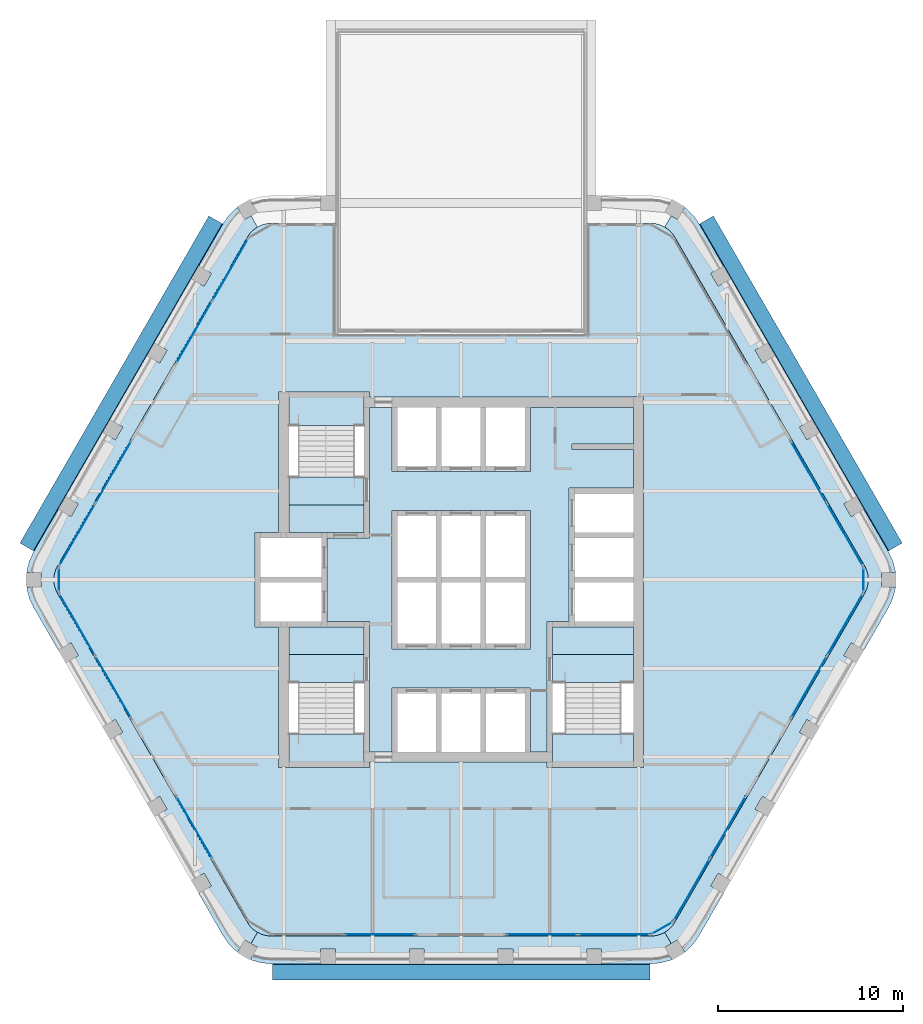
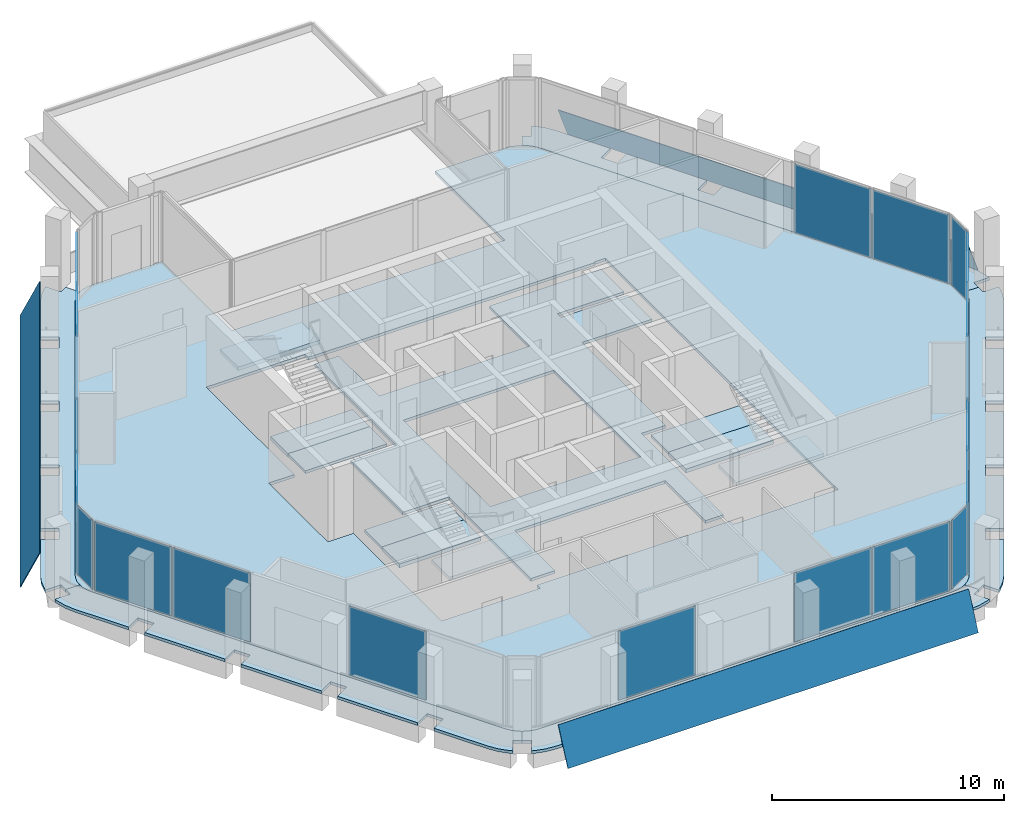
# One storey, part 7 of 16: 22 plates, 16 slabs, 15 elements without a shape of their own.
"""IFC4 building model written with IfcOpenShell, lengths in metres."""

import ifcopenshell
import ifcopenshell.guid

model = None  # the IFC model being written
_history = None  # IfcOwnerHistory: only IFC2X3 demands one
_inside = {}  # id of a spatial element -> (the spatial element, [elements in it])
_under = {}  # id of a project, library or spatial element -> (it, [spatial elements below it])
_declared = {}  # id of a project -> (the project, [libraries it declares])
_typed = {}  # id of a type object -> (the type object, [elements of that type])
_made_of = {}  # id of a material, layer set ... -> (it, [elements and type objects made of it])


def new_model(schema):
    """Start an empty IFC model of exactly this schema.

    Asked for "IFC4X3", IfcOpenShell would pick the latest addendum, in which some entities
    have other attributes; the version numbers below select the first issue.
    IFC2X3 requires an IfcOwnerHistory on every rooted entity: one is made here for all.
    """
    global model, _history
    if schema == "IFC4X3":
        model = ifcopenshell.file(schema_version=(4, 3, 0, 0))
    else:
        model = ifcopenshell.file(schema=schema)
    _inside.clear()
    _under.clear()
    _declared.clear()
    _typed.clear()
    _made_of.clear()
    _history = None
    if model.schema == "IFC2X3":
        org = make("IfcOrganization", Name="unknown")
        user = make(
            "IfcPersonAndOrganization",
            ThePerson=make("IfcPerson", FamilyName="unknown"),
            TheOrganization=org,
        )
        app = make(
            "IfcApplication",
            ApplicationDeveloper=org,
            Version="unknown",
            ApplicationFullName="unknown",
            ApplicationIdentifier="unknown",
        )
        _history = make(
            "IfcOwnerHistory",
            OwningUser=user,
            OwningApplication=app,
            ChangeAction="ADDED",
            CreationDate=0,
        )
    return model


def make(cls, **values):
    """One entity of the class cls with the attributes given. An attribute that is None is left unset."""
    return model.create_entity(
        cls, **{name: value for name, value in values.items() if value is not None}
    )


def rooted(cls, **values):
    """An entity with a GlobalId (a new one), such as an element, a storey or a relation."""
    return make(cls, GlobalId=ifcopenshell.guid.new(), OwnerHistory=_history, **values)


def si_unit(unit_type, name, prefix=None):
    """IfcSIUnit, for example si_unit("LENGTHUNIT", "METRE", prefix="MILLI")."""
    return make("IfcSIUnit", UnitType=unit_type, Prefix=prefix, Name=name)


def assignment(units):
    """IfcUnitAssignment: the units of a project."""
    return None if units is None else make("IfcUnitAssignment", Units=units)


def point(xyz):
    """IfcCartesianPoint."""
    return None if xyz is None else make("IfcCartesianPoint", Coordinates=xyz)


def direction(xyz):
    """IfcDirection."""
    return None if xyz is None else make("IfcDirection", DirectionRatios=xyz)


def frame(location, z_axis=None, x_axis=None):
    """IfcAxis2Placement3D, a coordinate frame: its origin and axes. An axis left out is left unset."""
    return make(
        "IfcAxis2Placement3D",
        Location=point(location),
        Axis=direction(z_axis),
        RefDirection=direction(x_axis),
    )


def frame_2d(location, x_axis=None):
    """IfcAxis2Placement2D, a coordinate frame in the plane: its origin and x axis."""
    return make(
        "IfcAxis2Placement2D", Location=point(location), RefDirection=direction(x_axis)
    )


def origin():
    """The frame at (0, 0, 0) with its axes left unset."""
    return frame((0.0, 0.0, 0.0))


def origin_2d():
    """The frame at (0, 0) in the plane with its x axis left unset."""
    return frame_2d((0.0, 0.0))


def place(relative_to, where):
    """IfcLocalPlacement: puts the frame where relative to a parent placement (None: the world)."""
    return make(
        "IfcLocalPlacement", PlacementRelTo=relative_to, RelativePlacement=where
    )


def context(
    kind, dimensions, precision=None, world=None, true_north=None, identifier=None
):
    """IfcGeometricRepresentationContext, for example the 3D "Model" context."""
    return make(
        "IfcGeometricRepresentationContext",
        ContextIdentifier=identifier,
        ContextType=kind,
        CoordinateSpaceDimension=dimensions,
        Precision=precision,
        WorldCoordinateSystem=world,
        TrueNorth=true_north,
    )


def subcontext(parent, identifier, kind, view, scale=None):
    """IfcGeometricRepresentationSubContext, for example "Body" below "Model"."""
    return make(
        "IfcGeometricRepresentationSubContext",
        ContextIdentifier=identifier,
        ContextType=kind,
        ParentContext=parent,
        TargetScale=scale,
        TargetView=view,
    )


def project(units=None, contexts=None):
    """IfcProject with its units and contexts."""
    return rooted(
        "IfcProject",
        Name="project",
        RepresentationContexts=contexts,
        UnitsInContext=assignment(units),
    )


def spatial(cls, under=None, at=None, **own):
    """A site, building, storey or space (cls), placed at a placement, below another one or the project."""
    s = rooted(cls, ObjectPlacement=at, **own)
    if under is not None:
        _under.setdefault(under.id(), (under, []))[1].append(s)
    return s


def polyline(points):
    """IfcPolyline through the points."""
    return make("IfcPolyline", Points=[point(p) for p in points])


def profile(cls, at=None, kind="AREA", **sizes):
    """A parametric profile (cls). Its sizes go by their IFC names, for example OverallWidth=200.0."""
    return make(cls, ProfileType=kind, Position=at, **sizes)


def rectangle(**sizes):
    """IfcRectangleProfileDef."""
    return profile("IfcRectangleProfileDef", **sizes)


def outline(outer, holes=None, kind="AREA"):
    """IfcArbitraryClosedProfileDef: a profile drawn as a closed curve; with holes, ...WithVoids."""
    if holes is None:
        return make("IfcArbitraryClosedProfileDef", ProfileType=kind, OuterCurve=outer)
    return make(
        "IfcArbitraryProfileDefWithVoids",
        ProfileType=kind,
        OuterCurve=outer,
        InnerCurves=holes,
    )


def extrude(swept, where, along, depth):
    """IfcExtrudedAreaSolid: the profile swept, set in the frame where, extruded along a direction by depth."""
    return make(
        "IfcExtrudedAreaSolid",
        SweptArea=swept,
        Position=where,
        ExtrudedDirection=direction(along),
        Depth=depth,
    )


def shape(context_of_items, identifier, shape_type, items):
    """IfcShapeRepresentation: the items that make up one representation, for example the "Body"."""
    return make(
        "IfcShapeRepresentation",
        ContextOfItems=context_of_items,
        RepresentationIdentifier=identifier,
        RepresentationType=shape_type,
        Items=items,
    )


def material(Name=None, Category=None):
    """IfcMaterial."""
    return make("IfcMaterial", Name=Name, Category=Category)


def layer(
    of_material, thickness, ventilated=None, Name=None, Category=None, Priority=None
):
    """IfcMaterialLayer: one layer of a wall or slab, of a material (None: an air gap)."""
    return make(
        "IfcMaterialLayer",
        Material=of_material,
        LayerThickness=thickness,
        IsVentilated=ventilated,
        Name=Name,
        Category=Category,
        Priority=Priority,
    )


def layer_set(layers, Name=None):
    """IfcMaterialLayerSet."""
    return make("IfcMaterialLayerSet", MaterialLayers=layers, LayerSetName=Name)


def made_of(thing, what):
    """Note that an element or type object is made of a material, layer set ...; save() writes the relation."""
    if what is not None:
        _made_of.setdefault(what.id(), (what, []))[1].append(thing)
    return thing


def type_object(cls, material=None, **own):
    """A type object (cls), such as IfcWallType, which elements share."""
    return made_of(rooted(cls, **own), material)


def element(
    cls,
    number,
    at=None,
    inside=None,
    cuts=None,
    type_object=None,
    material=None,
    context=None,
    identifier="Body",
    shape_type=None,
    held_by="IfcProductDefinitionShape",
    body=None,
    shapes=None,
    **own,
):
    """One element of the class cls, such as IfcWall. Its Tag is "e" and its number.

    at: its placement. inside: the storey or other place that contains it. cuts: it is an
    opening in that element (IfcRelVoidsElement). A single representation is given by context,
    identifier, shape_type and body (its items); several are given by shapes. held_by: the class
    of the entity that holds the representations. save() writes the other relations.
    """
    e = rooted(cls, Tag="e%d" % number, ObjectPlacement=at, **own)
    if body is not None:
        shapes = [shape(context, identifier, shape_type, body)]
    if shapes is not None:
        e.Representation = make(held_by, Representations=shapes)
    if inside is not None:
        _inside.setdefault(inside.id(), (inside, []))[1].append(e)
    if cuts is not None:
        rooted(
            "IfcRelVoidsElement", RelatingBuildingElement=cuts, RelatedOpeningElement=e
        )
    if type_object is not None:
        _typed.setdefault(type_object.id(), (type_object, []))[1].append(e)
    return made_of(e, material)


def aggregate(whole, parts):
    """IfcRelAggregates: a whole, such as a stair, and the parts it consists of."""
    return rooted("IfcRelAggregates", RelatingObject=whole, RelatedObjects=parts)


def save(model, path):
    """Write the relations noted so far, then the file.

    IfcRelAggregates (storeys below a building ...), IfcRelContainedInSpatialStructure (elements
    in a storey), IfcRelDefinesByType, IfcRelAssociatesMaterial and IfcRelDeclares: one each for
    every whole, place, type object, material and project.
    """
    for whole, parts in _under.values():
        aggregate(whole, parts)
    for where, things in _inside.values():
        rooted(
            "IfcRelContainedInSpatialStructure",
            RelatedElements=things,
            RelatingStructure=where,
        )
    for kind, things in _typed.values():
        rooted("IfcRelDefinesByType", RelatedObjects=things, RelatingType=kind)
    for what, things in _made_of.values():
        rooted("IfcRelAssociatesMaterial", RelatedObjects=things, RelatingMaterial=what)
    for by, libraries in _declared.values():
        rooted("IfcRelDeclares", RelatingContext=by, RelatedDefinitions=libraries)
    model.write(path)


model = new_model("IFC4")

# Units and contexts
model_context = context("Model", 3, precision=1e-05, world=origin(), true_north=direction((0.0, 1.0)))
body_context = subcontext(model_context, "Body", "Model", "MODEL_VIEW")
ifc_project = project(units=[si_unit("LENGTHUNIT", "METRE"), si_unit("AREAUNIT", "SQUARE_METRE"), si_unit("VOLUMEUNIT", "CUBIC_METRE"), si_unit("PLANEANGLEUNIT", "RADIAN"), si_unit("MASSUNIT", "GRAM", prefix="KILO")], contexts=[model_context])

# Site, building, storey
site_placement = place(None, origin())
site = spatial("IfcSite", under=ifc_project, at=site_placement, CompositionType="ELEMENT")
building_placement = place(site_placement, origin())
building = spatial("IfcBuilding", under=site, at=building_placement, Name="Kolab Exchange Tower", CompositionType="ELEMENT")
storey_placement = place(building_placement, frame((0.0, 0.0, 269.60009765625)))
storey = spatial("IfcBuildingStorey", under=building, at=storey_placement, Name="L60", CompositionType="ELEMENT", Elevation=269.60009765625)

# Slabs
ifc_material_1 = material(Name="Concrete C35/45", Category="concrete")
ifc_layer_1 = layer(ifc_material_1, 0.14990234375)
ifc_layer_set_1 = layer_set([ifc_layer_1], Name="Concrete C35/45")
slab_type_1 = type_object("IfcSlabType", Name="FLOOR SLAB 150", PredefinedType="FLOOR", material=ifc_layer_set_1)
slab_1_placement = place(storey_placement, frame((0.0, 0.0, -0.150146484375)))
element("IfcSlab", 1, at=slab_1_placement, inside=storey, type_object=slab_type_1, Name="slab/L60/floor/0", PredefinedType="FLOOR", context=body_context, shape_type="SweptSolid", body=[
    extrude(outline(polyline([(10.26806640625, 19.28466796875), (6.800048828125, 19.28466796875), (6.800048828125, 13.28466796875), (-6.800048828125, 13.28466796875), (-6.800048828125, 19.28466796875), (-10.26806640625, 19.28466796875), (-10.5283203125, 19.26171875), (-10.781005859375, 19.194091796875), (-11.01806640625, 19.083740234375), (-11.232177734375, 18.93359375), (-11.4169921875, 18.748779296875), (-11.56689453125, 18.53466796875), (-21.8349609375, 0.75), (-21.945556640625, 0.512939453125), (-22.01318359375, 0.260498046875), (-22.035888671875, 0.0), (-22.01318359375, -0.260498046875), (-21.945556640625, -0.512939453125), (-21.8349609375, -0.75), (-11.56689453125, -18.53466796875), (-11.4169921875, -18.748779296875), (-11.232177734375, -18.93359375), (-11.01806640625, -19.083740234375), (-10.781005859375, -19.194091796875), (-10.5283203125, -19.26171875), (-10.26806640625, -19.28466796875), (10.26806640625, -19.28466796875), (10.5283203125, -19.26171875), (10.781005859375, -19.194091796875), (11.01806640625, -19.083740234375), (11.232177734375, -18.93359375), (11.4169921875, -18.748779296875), (11.56689453125, -18.53466796875), (21.8349609375, -0.75), (21.945556640625, -0.512939453125), (22.01318359375, -0.260498046875), (22.035888671875, 0.0), (22.01318359375, 0.260498046875), (21.945556640625, 0.512939453125), (21.8349609375, 0.75), (11.56689453125, 18.53466796875), (11.4169921875, 18.748779296875), (11.232177734375, 18.93359375), (11.01806640625, 19.083740234375), (10.781005859375, 19.194091796875), (10.5283203125, 19.26171875), (10.26806640625, 19.28466796875)]), holes=[polyline([(-9.324951171875, -10.14990234375), (-9.875, -10.14990234375), (-9.875, -2.550048828125), (-10.85009765625, -2.550048828125), (-11.14990234375, -2.550048828125), (-11.14990234375, 2.550048828125), (-10.85009765625, 2.550048828125), (-9.875, 2.550048828125), (-9.875, 10.14990234375), (-9.324951171875, 10.14990234375), (-5.25, 10.14990234375), (-4.949951171875, 10.14990234375), (-4.949951171875, 9.875), (9.324951171875, 9.875), (9.324951171875, 9.925048828125), (9.875, 9.925048828125), (9.875, -10.14990234375), (9.324951171875, -10.14990234375), (4.949951171875, -10.14990234375), (4.64990234375, -10.14990234375), (4.64990234375, -9.875), (-4.949951171875, -9.875), (-4.949951171875, -10.14990234375), (-5.25, -10.14990234375), (-9.324951171875, -10.14990234375)])]), origin(), (0.0, 0.0, 1.0), 0.150146484375),
])
slab_2_placement = place(storey_placement, frame((0.0, 0.0, -0.150146484375)))
element("IfcSlab", 2, at=slab_2_placement, inside=storey, type_object=slab_type_1, Name="slab/L60/floor/1", PredefinedType="FLOOR", context=body_context, shape_type="SweptSolid", body=[
    extrude(outline(polyline([(-4.949951171875, 9.324951171875), (-4.949951171875, 2.25), (-5.25, 2.25), (-7.25, 2.25), (-7.25, -2.25), (-5.25, -2.25), (-4.949951171875, -2.25), (-4.949951171875, -9.324951171875), (-3.75, -9.324951171875), (-3.75, -5.85009765625), (-3.449951171875, -5.85009765625), (-1.35009765625, -5.85009765625), (-1.050048828125, -5.85009765625), (1.050048828125, -5.85009765625), (1.35009765625, -5.85009765625), (3.449951171875, -5.85009765625), (3.75, -5.85009765625), (3.75, -9.324951171875), (4.64990234375, -9.324951171875), (4.64990234375, -2.25), (4.949951171875, -2.25), (5.85009765625, -2.25), (5.85009765625, 4.949951171875), (6.14990234375, 4.949951171875), (9.324951171875, 4.949951171875), (9.324951171875, 7.050048828125), (6.0, 7.050048828125), (6.0, 7.35009765625), (9.324951171875, 7.35009765625), (9.324951171875, 9.324951171875), (3.75, 9.324951171875), (3.75, 5.85009765625), (3.449951171875, 5.85009765625), (1.35009765625, 5.85009765625), (1.050048828125, 5.85009765625), (-1.050048828125, 5.85009765625), (-1.35009765625, 5.85009765625), (-3.449951171875, 5.85009765625), (-3.75, 5.85009765625), (-3.75, 9.324951171875), (-4.949951171875, 9.324951171875)]), holes=[polyline([(-1.050048828125, -3.75), (-1.35009765625, -3.75), (-3.449951171875, -3.75), (-3.75, -3.75), (-3.75, 3.75), (-3.449951171875, 3.75), (-1.35009765625, 3.75), (-1.050048828125, 3.75), (1.050048828125, 3.75), (1.35009765625, 3.75), (3.449951171875, 3.75), (3.75, 3.75), (3.75, -3.75), (3.449951171875, -3.75), (1.35009765625, -3.75), (1.050048828125, -3.75), (-1.050048828125, -3.75)])]), origin(), (0.0, 0.0, 1.0), 0.150146484375),
])
slab_3_placement = place(storey_placement, frame((0.0, 0.0, -0.150146484375)))
element("IfcSlab", 3, at=slab_3_placement, inside=storey, type_object=slab_type_1, Name="slab/L60/floor/2", PredefinedType="FLOOR", context=body_context, shape_type="SweptSolid", body=[
    extrude(outline(polyline([(4.949951171875, -4.050048828125), (9.324951171875, -4.050048828125), (9.324951171875, -2.550048828125), (6.14990234375, -2.550048828125), (5.85009765625, -2.550048828125), (4.949951171875, -2.550048828125), (4.949951171875, -4.050048828125)])), origin(), (0.0, 0.0, 1.0), 0.150146484375),
])
slab_4_placement = place(storey_placement, frame((0.0, 0.0, -0.150146484375)))
element("IfcSlab", 4, at=slab_4_placement, inside=storey, type_object=slab_type_1, Name="slab/L60/floor/3", PredefinedType="FLOOR", context=body_context, shape_type="SweptSolid", body=[
    extrude(outline(polyline([(-7.550048828125, -2.550048828125), (-9.324951171875, -2.550048828125), (-9.324951171875, -4.050048828125), (-5.25, -4.050048828125), (-5.25, -2.550048828125), (-7.25, -2.550048828125), (-7.550048828125, -2.550048828125)])), origin(), (0.0, 0.0, 1.0), 0.150146484375),
])
slab_5_placement = place(storey_placement, frame((0.0, 0.0, -0.150146484375)))
element("IfcSlab", 5, at=slab_5_placement, inside=storey, type_object=slab_type_1, Name="slab/L60/floor/4", PredefinedType="FLOOR", context=body_context, shape_type="SweptSolid", body=[
    extrude(outline(polyline([(-9.324951171875, 2.550048828125), (-7.550048828125, 2.550048828125), (-7.25, 2.550048828125), (-5.25, 2.550048828125), (-5.25, 4.050048828125), (-9.324951171875, 4.050048828125), (-9.324951171875, 2.550048828125)])), origin(), (0.0, 0.0, 1.0), 0.150146484375),
])
ifc_layer_2 = layer(ifc_material_1, 0.14990234375)
ifc_layer_set_2 = layer_set([ifc_layer_2], Name="Concrete C35/45")
slab_type_2 = type_object("IfcSlabType", Name="LOGGIA SLAB 150", PredefinedType="FLOOR", material=ifc_layer_set_2)
slab_6_placement = place(storey_placement, frame((0.0, 0.0, -0.150146484375)))
element("IfcSlab", 6, at=slab_6_placement, inside=storey, type_object=slab_type_2, Name="slab/L60/loggia/1-0", PredefinedType="FLOOR", context=body_context, shape_type="SweptSolid", body=[
    extrude(outline(polyline([(22.035888671875, 0.0), (22.73583984375, 0.0), (22.73583984375, 0.39990234375), (23.5009765625, 0.39990234375), (23.490234375, 0.52099609375), (23.35498046875, 1.026123046875), (23.134033203125, 1.5), (21.800048828125, 3.810546875), (21.107177734375, 3.410400390625), (20.707275390625, 4.103271484375), (21.39990234375, 4.50341796875), (19.39990234375, 7.967529296875), (18.707275390625, 7.5673828125), (18.30712890625, 8.26025390625), (19.0, 8.66015625), (17.0, 12.124267578125), (16.30712890625, 11.724365234375), (15.9072265625, 12.417236328125), (16.60009765625, 12.817138671875), (14.60009765625, 16.28125), (13.9072265625, 15.88134765625), (13.507080078125, 16.57421875), (14.199951171875, 16.97412109375), (12.865966796875, 19.28466796875), (12.566162109375, 19.712890625), (12.1962890625, 20.082763671875), (12.096923828125, 20.15234375), (11.71435546875, 19.48974609375), (11.367919921875, 19.68994140625), (11.01806640625, 19.083740234375), (11.232177734375, 18.93359375), (11.4169921875, 18.748779296875), (11.56689453125, 18.53466796875), (21.8349609375, 0.75), (21.945556640625, 0.512939453125), (22.01318359375, 0.260498046875), (22.035888671875, 0.0)])), origin(), (0.0, 0.0, 1.0), 0.150146484375),
])
slab_7_placement = place(storey_placement, frame((0.0, 0.0, -0.150146484375)))
element("IfcSlab", 7, at=slab_7_placement, inside=storey, type_object=slab_type_2, Name="slab/L60/loggia/2-0", PredefinedType="FLOOR", context=body_context, shape_type="SweptSolid", body=[
    extrude(outline(polyline([(12.865966796875, -19.28466796875), (14.199951171875, -16.97412109375), (13.507080078125, -16.57421875), (13.9072265625, -15.88134765625), (14.60009765625, -16.28125), (16.60009765625, -12.817138671875), (15.9072265625, -12.417236328125), (16.30712890625, -11.724365234375), (17.0, -12.124267578125), (19.0, -8.66015625), (18.30712890625, -8.26025390625), (18.707275390625, -7.5673828125), (19.39990234375, -7.967529296875), (21.39990234375, -4.50341796875), (20.707275390625, -4.103271484375), (21.107177734375, -3.410400390625), (21.800048828125, -3.810546875), (23.134033203125, -1.5), (23.35498046875, -1.026123046875), (23.490234375, -0.52099609375), (23.5009765625, -0.39990234375), (22.73583984375, -0.39990234375), (22.73583984375, 0.0), (22.035888671875, 0.0), (22.01318359375, -0.260498046875), (21.945556640625, -0.512939453125), (21.8349609375, -0.75), (11.56689453125, -18.53466796875), (11.4169921875, -18.748779296875), (11.232177734375, -18.93359375), (11.01806640625, -19.083740234375), (11.367919921875, -19.68994140625), (11.71435546875, -19.48974609375), (12.096923828125, -20.15234375), (12.1962890625, -20.082763671875), (12.566162109375, -19.712890625), (12.865966796875, -19.28466796875)])), origin(), (0.0, 0.0, 1.0), 0.150146484375),
])
slab_8_placement = place(storey_placement, frame((0.0, 0.0, -0.150146484375)))
element("IfcSlab", 8, at=slab_8_placement, inside=storey, type_object=slab_type_2, Name="slab/L60/loggia/3-0", PredefinedType="FLOOR", context=body_context, shape_type="SweptSolid", body=[
    extrude(outline(polyline([(-11.01806640625, -19.083740234375), (-11.367919921875, -19.68994140625), (-11.021484375, -19.889892578125), (-11.404052734375, -20.552490234375), (-11.2939453125, -20.603759765625), (-10.788818359375, -20.739013671875), (-10.26806640625, -20.78466796875), (-7.60009765625, -20.78466796875), (-7.60009765625, -19.984619140625), (-6.800048828125, -19.984619140625), (-6.800048828125, -20.78466796875), (-2.800048828125, -20.78466796875), (-2.800048828125, -19.984619140625), (-2.0, -19.984619140625), (-2.0, -20.78466796875), (2.0, -20.78466796875), (2.0, -19.984619140625), (2.800048828125, -19.984619140625), (2.800048828125, -20.78466796875), (6.800048828125, -20.78466796875), (6.800048828125, -19.984619140625), (7.60009765625, -19.984619140625), (7.60009765625, -20.78466796875), (10.26806640625, -20.78466796875), (10.788818359375, -20.739013671875), (11.2939453125, -20.603759765625), (11.404052734375, -20.552490234375), (11.021484375, -19.889892578125), (11.367919921875, -19.68994140625), (11.01806640625, -19.083740234375), (10.781005859375, -19.194091796875), (10.5283203125, -19.26171875), (10.26806640625, -19.28466796875), (-10.26806640625, -19.28466796875), (-10.5283203125, -19.26171875), (-10.781005859375, -19.194091796875), (-11.01806640625, -19.083740234375)])), origin(), (0.0, 0.0, 1.0), 0.150146484375),
])
slab_9_placement = place(storey_placement, frame((0.0, 0.0, -0.150146484375)))
element("IfcSlab", 9, at=slab_9_placement, inside=storey, type_object=slab_type_2, Name="slab/L60/loggia/4-0", PredefinedType="FLOOR", context=body_context, shape_type="SweptSolid", body=[
    extrude(outline(polyline([(-22.035888671875, 0.0), (-22.73583984375, 0.0), (-22.73583984375, -0.39990234375), (-23.5009765625, -0.39990234375), (-23.490234375, -0.52099609375), (-23.35498046875, -1.026123046875), (-23.134033203125, -1.5), (-21.800048828125, -3.810546875), (-21.107177734375, -3.410400390625), (-20.707275390625, -4.103271484375), (-21.39990234375, -4.50341796875), (-19.39990234375, -7.967529296875), (-18.707275390625, -7.5673828125), (-18.30712890625, -8.26025390625), (-19.0, -8.66015625), (-17.0, -12.124267578125), (-16.30712890625, -11.724365234375), (-15.9072265625, -12.417236328125), (-16.60009765625, -12.817138671875), (-14.60009765625, -16.28125), (-13.9072265625, -15.88134765625), (-13.507080078125, -16.57421875), (-14.199951171875, -16.97412109375), (-12.865966796875, -19.28466796875), (-12.566162109375, -19.712890625), (-12.1962890625, -20.082763671875), (-12.096923828125, -20.15234375), (-11.71435546875, -19.48974609375), (-11.367919921875, -19.68994140625), (-11.01806640625, -19.083740234375), (-11.232177734375, -18.93359375), (-11.4169921875, -18.748779296875), (-11.56689453125, -18.53466796875), (-21.8349609375, -0.75), (-21.945556640625, -0.512939453125), (-22.01318359375, -0.260498046875), (-22.035888671875, 0.0)])), origin(), (0.0, 0.0, 1.0), 0.150146484375),
])
slab_10_placement = place(storey_placement, frame((0.0, 0.0, -0.150146484375)))
element("IfcSlab", 10, at=slab_10_placement, inside=storey, type_object=slab_type_2, Name="slab/L60/loggia/5-0", PredefinedType="FLOOR", context=body_context, shape_type="SweptSolid", body=[
    extrude(outline(polyline([(-11.01806640625, 19.083740234375), (-11.367919921875, 19.68994140625), (-11.71435546875, 19.48974609375), (-12.096923828125, 20.15234375), (-12.1962890625, 20.082763671875), (-12.566162109375, 19.712890625), (-12.865966796875, 19.28466796875), (-14.199951171875, 16.97412109375), (-13.507080078125, 16.57421875), (-13.9072265625, 15.88134765625), (-14.60009765625, 16.28125), (-16.60009765625, 12.817138671875), (-15.9072265625, 12.417236328125), (-16.30712890625, 11.724365234375), (-17.0, 12.124267578125), (-19.0, 8.66015625), (-18.30712890625, 8.26025390625), (-18.707275390625, 7.5673828125), (-19.39990234375, 7.967529296875), (-21.39990234375, 4.50341796875), (-20.707275390625, 4.103271484375), (-21.107177734375, 3.410400390625), (-21.800048828125, 3.810546875), (-23.134033203125, 1.5), (-23.35498046875, 1.026123046875), (-23.490234375, 0.52099609375), (-23.5009765625, 0.39990234375), (-22.73583984375, 0.39990234375), (-22.73583984375, 0.0), (-22.035888671875, 0.0), (-22.01318359375, 0.260498046875), (-21.945556640625, 0.512939453125), (-21.8349609375, 0.75), (-11.56689453125, 18.53466796875), (-11.4169921875, 18.748779296875), (-11.232177734375, 18.93359375), (-11.01806640625, 19.083740234375)])), origin(), (0.0, 0.0, 1.0), 0.150146484375),
])

# Plates
ifc_material_2 = material(Name="Laminated glass, clear", Category="glass")
ifc_layer_3 = layer(ifc_material_2, 0.0400390625)
ifc_layer_set_3 = layer_set([ifc_layer_3], Name="Laminated glass, clear")
plate_type_1 = type_object("IfcPlateType", Name="OUTER SKIN LAMINATED GLASS SHEET 40", PredefinedType="SHEET", material=ifc_layer_set_3)
plate_1_placement = place(storey_placement, frame((13.6494140625, 19.67919921875, -0.68310546875), z_axis=(0.784867306279, 0.453141202853, 0.42266578027), x_axis=(0.499997422316, -0.866026892004, 1.98158e-06)))
element("IfcPlate", 11, at=plate_1_placement, inside=storey, type_object=plate_type_1, Name="Outer skin", PredefinedType="SHEET", context=body_context, shape_type="SweptSolid", body=[
    extrude(outline(polyline([(0.0, 0.0), (20.435802623779974, 0.0), (20.435856947346743, -1.9858686247089181), (-6.774611641384307e-05, -1.9859579901459246), (0.0, 0.0)])), origin(), (0.0, 0.0, -1.0), 0.0400390625),
])
plate_2_placement = place(storey_placement, frame((10.218017578125, -21.66015625, -0.68310546875), z_axis=(0.0, -0.906289895601, 0.422656627927), x_axis=(-1.0, 0.0, 0.0)))
element("IfcPlate", 12, at=plate_2_placement, inside=storey, type_object=plate_type_1, Name="Outer skin", PredefinedType="SHEET", context=body_context, shape_type="SweptSolid", body=[
    extrude(outline(polyline([(0.0, 0.0), (20.43603515625, 0.0), (20.43603515625, -1.9859039543914263), (0.0, -1.9859039543914263), (0.0, 0.0)])), origin(), (0.0, 0.0, -1.0), 0.0400390625),
])
plate_3_placement = place(storey_placement, frame((-23.8671875, 1.981201171875, -0.68310546875), z_axis=(-0.784867306279, 0.453141202853, 0.42266578027), x_axis=(0.499997422316, 0.866026892004, -1.98158e-06)))
element("IfcPlate", 13, at=plate_3_placement, inside=storey, type_object=plate_type_1, Name="Outer skin", PredefinedType="SHEET", context=body_context, shape_type="SweptSolid", body=[
    extrude(outline(polyline([(0.0, 0.0), (20.435802623779974, 0.0), (20.43587036989639, -1.9859579901459246), (-5.432356676878094e-05, -1.985868624708918), (0.0, 0.0)])), origin(), (0.0, 0.0, -1.0), 0.0400390625),
])

# Stair, slabs
ifc_material_3 = material(Name="Concrete C50/60", Category="concrete")
stair_type_1 = type_object("IfcStairType", Name="STAIR ST1 RISER 177.3", PredefinedType="HALF_TURN_STAIR", material=ifc_material_3)
stair_1_placement = place(storey_placement, origin())
stair_1 = element("IfcStair", 14, at=stair_1_placement, inside=storey, type_object=stair_type_1, Name="Stair 1", PredefinedType="HALF_TURN_STAIR")
ifc_layer_4 = layer(ifc_material_3, 0.199951171875)
ifc_layer_set_4 = layer_set([ifc_layer_4], Name="Concrete C50/60")
slab_type_3 = type_object("IfcSlabType", Name="STAIR LANDING 200", PredefinedType="LANDING", material=ifc_layer_set_4)
slab_11_placement = place(storey_placement, frame((0.0, 0.0, -0.2001953125)))
slab_11 = element("IfcSlab", 15, at=slab_11_placement, type_object=slab_type_3, Name="ST1 landing 1", PredefinedType="LANDING", context=body_context, shape_type="SweptSolid", body=[
    extrude(outline(polyline([(-9.324951171875, 4.050048828125), (-5.25, 4.050048828125), (-5.25, 5.550048828125), (-9.324951171875, 5.550048828125), (-9.324951171875, 4.050048828125)])), origin(), (0.0, 0.0, 1.0), 0.2001953125),
])
slab_12_placement = place(storey_placement, frame((0.0, 0.0, 1.75)))
slab_12 = element("IfcSlab", 16, at=slab_12_placement, type_object=slab_type_3, Name="ST1 landing 2", PredefinedType="LANDING", context=body_context, shape_type="SweptSolid", body=[
    extrude(outline(polyline([(-9.324951171875, 8.35009765625), (-5.25, 8.35009765625), (-5.25, 9.909912109375), (-9.324951171875, 9.909912109375), (-9.324951171875, 8.35009765625)])), origin(), (0.0, 0.0, 1.0), 0.199951171875),
])
aggregate(stair_1, [slab_11, slab_12])

stair_type_2 = type_object("IfcStairType", Name="STAIR ST3 RISER 177.3", PredefinedType="HALF_TURN_STAIR", material=ifc_material_3)
stair_2_placement = place(storey_placement, origin())
stair_2 = element("IfcStair", 17, at=stair_2_placement, inside=storey, type_object=stair_type_2, Name="Stair 3", PredefinedType="HALF_TURN_STAIR")
slab_13_placement = place(storey_placement, frame((0.0, 0.0, -0.2001953125)))
slab_13 = element("IfcSlab", 18, at=slab_13_placement, type_object=slab_type_3, Name="ST3 landing 1", PredefinedType="LANDING", context=body_context, shape_type="SweptSolid", body=[
    extrude(outline(polyline([(-9.324951171875, -5.550048828125), (-5.25, -5.550048828125), (-5.25, -4.050048828125), (-9.324951171875, -4.050048828125), (-9.324951171875, -5.550048828125)])), origin(), (0.0, 0.0, 1.0), 0.2001953125),
])
slab_14_placement = place(storey_placement, frame((0.0, 0.0, 1.75)))
slab_14 = element("IfcSlab", 19, at=slab_14_placement, type_object=slab_type_3, Name="ST3 landing 2", PredefinedType="LANDING", context=body_context, shape_type="SweptSolid", body=[
    extrude(outline(polyline([(-9.324951171875, -9.909912109375), (-5.25, -9.909912109375), (-5.25, -8.35009765625), (-9.324951171875, -8.35009765625), (-9.324951171875, -9.909912109375)])), origin(), (0.0, 0.0, 1.0), 0.199951171875),
])
aggregate(stair_2, [slab_13, slab_14])

stair_type_3 = type_object("IfcStairType", Name="STAIR ST2 RISER 177.3", PredefinedType="HALF_TURN_STAIR", material=ifc_material_3)
stair_3_placement = place(storey_placement, origin())
stair_3 = element("IfcStair", 20, at=stair_3_placement, inside=storey, type_object=stair_type_3, Name="Stair 2", PredefinedType="HALF_TURN_STAIR")
slab_15_placement = place(storey_placement, frame((0.0, 0.0, -0.2001953125)))
slab_15 = element("IfcSlab", 21, at=slab_15_placement, type_object=slab_type_3, Name="ST2 landing 1", PredefinedType="LANDING", context=body_context, shape_type="SweptSolid", body=[
    extrude(outline(polyline([(4.949951171875, -5.550048828125), (9.324951171875, -5.550048828125), (9.324951171875, -4.050048828125), (4.949951171875, -4.050048828125), (4.949951171875, -5.550048828125)])), origin(), (0.0, 0.0, 1.0), 0.2001953125),
])
slab_16_placement = place(storey_placement, frame((0.0, 0.0, 1.75)))
slab_16 = element("IfcSlab", 22, at=slab_16_placement, type_object=slab_type_3, Name="ST2 landing 2", PredefinedType="LANDING", context=body_context, shape_type="SweptSolid", body=[
    extrude(outline(polyline([(4.949951171875, -9.909912109375), (9.324951171875, -9.909912109375), (9.324951171875, -8.35009765625), (4.949951171875, -8.35009765625), (4.949951171875, -9.909912109375)])), origin(), (0.0, 0.0, 1.0), 0.199951171875),
])
aggregate(stair_3, [slab_15, slab_16])

# Curtain wall, plates
ifc_material_4 = material(Name="Aluminium EN AW-6063 T6", Category="aluminium")
curtain_wall_type = type_object("IfcCurtainWallType", Name="UNITISED HIGH ZONE CURTAIN WALL", PredefinedType="NOTDEFINED", material=ifc_material_4)
curtain_wall_1_placement = place(storey_placement, origin())
curtain_wall_1 = element("IfcCurtainWall", 23, at=curtain_wall_1_placement, inside=storey, type_object=curtain_wall_type, Name="cw/L60/F2-2", PredefinedType="NOTDEFINED")
ifc_material_5 = material(Name="Clear insulated glazing unit", Category="glass")
ifc_layer_5 = layer(ifc_material_5, 0.030029296875)
ifc_layer_set_5 = layer_set([ifc_layer_5], Name="Clear insulated glazing unit")
plate_type_2 = type_object("IfcPlateType", Name="UNITISED HIGH ZONE GLASS PANEL 30", PredefinedType="CURTAIN_PANEL", material=ifc_layer_set_5)
plate_4_placement = place(storey_placement, frame((18.82275390625, 5.807373046875, 0.06005859375), z_axis=(0.0, 0.0, 1.0), x_axis=(0.499999936366, -0.866025440524, 0.0)))
plate_4 = element("IfcPlate", 24, at=plate_4_placement, type_object=plate_type_2, Name="CW4 panel 1.1", PredefinedType="CURTAIN_PANEL", context=body_context, shape_type="SweptSolid", body=[
    extrude(rectangle(XDim=3.843994140625, YDim=0.030029296875, at=origin_2d()), origin(), (0.0, 0.0, 1.0), 3.6298828125),
])
plate_5_placement = place(storey_placement, frame((20.774658203125, 2.426513671875, 0.06005859375), z_axis=(0.0, 0.0, 1.0), x_axis=(0.499999936366, -0.866025440524, 0.0)))
plate_5 = element("IfcPlate", 25, at=plate_5_placement, type_object=plate_type_2, Name="CW4 panel 2.1", PredefinedType="CURTAIN_PANEL", context=body_context, shape_type="SweptSolid", body=[
    extrude(rectangle(XDim=3.843994140625, YDim=0.030029296875, at=origin_2d()), origin(), (0.0, 0.0, 1.0), 3.6298828125),
])
aggregate(curtain_wall_1, [plate_4, plate_5])

curtain_wall_2_placement = place(storey_placement, origin())
curtain_wall_2 = element("IfcCurtainWall", 26, at=curtain_wall_2_placement, inside=storey, type_object=curtain_wall_type, Name="cw/L60/F3-1", PredefinedType="NOTDEFINED")
plate_6_placement = place(storey_placement, frame((20.774658203125, -2.426513671875, 0.06005859375), z_axis=(0.0, 0.0, 1.0), x_axis=(-0.499999936366, -0.866025440524, 0.0)))
plate_6 = element("IfcPlate", 27, at=plate_6_placement, type_object=plate_type_2, Name="CW4 panel 1.1", PredefinedType="CURTAIN_PANEL", context=body_context, shape_type="SweptSolid", body=[
    extrude(rectangle(XDim=3.843994140625, YDim=0.030029296875, at=origin_2d()), origin(), (0.0, 0.0, 1.0), 3.6298828125),
])
plate_7_placement = place(storey_placement, frame((18.82275390625, -5.807373046875, 0.06005859375), z_axis=(0.0, 0.0, 1.0), x_axis=(-0.499999936366, -0.866025440524, 0.0)))
plate_7 = element("IfcPlate", 28, at=plate_7_placement, type_object=plate_type_2, Name="CW4 panel 2.1", PredefinedType="CURTAIN_PANEL", context=body_context, shape_type="SweptSolid", body=[
    extrude(rectangle(XDim=3.843994140625, YDim=0.030029296875, at=origin_2d()), origin(), (0.0, 0.0, 1.0), 3.6298828125),
])
aggregate(curtain_wall_2, [plate_6, plate_7])

curtain_wall_3_placement = place(storey_placement, origin())
curtain_wall_3 = element("IfcCurtainWall", 29, at=curtain_wall_3_placement, inside=storey, type_object=curtain_wall_type, Name="cw/L60/F3-2", PredefinedType="NOTDEFINED")
plate_8_placement = place(storey_placement, frame((14.440673828125, -13.397216796875, 0.06005859375), z_axis=(0.0, 0.0, 1.0), x_axis=(-0.500000031681, -0.866025385493, 0.0)))
plate_8 = element("IfcPlate", 30, at=plate_8_placement, type_object=plate_type_2, Name="CW4 panel 1.1", PredefinedType="CURTAIN_PANEL", context=body_context, shape_type="SweptSolid", body=[
    extrude(rectangle(XDim=3.843994140625, YDim=0.030029296875, at=origin_2d()), origin(), (0.0, 0.0, 1.0), 3.6298828125),
])
plate_9_placement = place(storey_placement, frame((12.48876953125, -16.778076171875, 0.06005859375), z_axis=(0.0, 0.0, 1.0), x_axis=(-0.500000031681, -0.866025385493, 0.0)))
plate_9 = element("IfcPlate", 31, at=plate_9_placement, type_object=plate_type_2, Name="CW4 panel 2.1", PredefinedType="CURTAIN_PANEL", context=body_context, shape_type="SweptSolid", body=[
    extrude(rectangle(XDim=3.843994140625, YDim=0.030029296875, at=origin_2d()), origin(), (0.0, 0.0, 1.0), 3.6298828125),
])
aggregate(curtain_wall_3, [plate_8, plate_9])

curtain_wall_4_placement = place(storey_placement, origin())
curtain_wall_4 = element("IfcCurtainWall", 32, at=curtain_wall_4_placement, inside=storey, type_object=curtain_wall_type, Name="cw/L60/F4-1", PredefinedType="NOTDEFINED")
plate_10_placement = place(storey_placement, frame((8.285888671875, -19.20458984375, 0.06005859375), z_axis=(0.0, 0.0, 1.0), x_axis=(-1.0, 0.0, 0.0)))
plate_10 = element("IfcPlate", 33, at=plate_10_placement, type_object=plate_type_2, Name="CW4 panel 1.1", PredefinedType="CURTAIN_PANEL", context=body_context, shape_type="SweptSolid", body=[
    extrude(rectangle(XDim=3.843994140625, YDim=0.030029296875, at=origin_2d()), origin(), (0.0, 0.0, 1.0), 3.6298828125),
])
plate_11_placement = place(storey_placement, frame((4.382080078125, -19.20458984375, 0.06005859375), z_axis=(0.0, 0.0, 1.0), x_axis=(-1.0, 0.0, 0.0)))
plate_11 = element("IfcPlate", 34, at=plate_11_placement, type_object=plate_type_2, Name="CW4 panel 2.1", PredefinedType="CURTAIN_PANEL", context=body_context, shape_type="SweptSolid", body=[
    extrude(rectangle(XDim=3.843994140625, YDim=0.030029296875, at=origin_2d()), origin(), (0.0, 0.0, 1.0), 3.6298828125),
])
aggregate(curtain_wall_4, [plate_10, plate_11])

# Curtain wall, plate
curtain_wall_5_placement = place(storey_placement, origin())
curtain_wall_5 = element("IfcCurtainWall", 35, at=curtain_wall_5_placement, inside=storey, type_object=curtain_wall_type, Name="cw/L60/F4-2", PredefinedType="NOTDEFINED")
plate_12_placement = place(storey_placement, frame((-4.382080078125, -19.20458984375, 0.06005859375), z_axis=(0.0, 0.0, 1.0), x_axis=(-1.0, 0.0, 0.0)))
plate_12 = element("IfcPlate", 36, at=plate_12_placement, type_object=plate_type_2, Name="CW4 panel 1.1", PredefinedType="CURTAIN_PANEL", context=body_context, shape_type="SweptSolid", body=[
    extrude(rectangle(XDim=3.843994140625, YDim=0.030029296875, at=origin_2d()), origin(), (0.0, 0.0, 1.0), 3.6298828125),
])
aggregate(curtain_wall_5, [plate_12])

curtain_wall_6_placement = place(storey_placement, origin())
curtain_wall_6 = element("IfcCurtainWall", 37, at=curtain_wall_6_placement, inside=storey, type_object=curtain_wall_type, Name="cw/L60/F5-1", PredefinedType="NOTDEFINED")
plate_13_placement = place(storey_placement, frame((-14.440673828125, -13.397216796875, 0.06005859375), z_axis=(0.0, 0.0, 1.0), x_axis=(-0.500000031681, 0.866025385493, 0.0)))
plate_13 = element("IfcPlate", 38, at=plate_13_placement, type_object=plate_type_2, Name="CW4 panel 2.1", PredefinedType="CURTAIN_PANEL", context=body_context, shape_type="SweptSolid", body=[
    extrude(rectangle(XDim=3.843994140625, YDim=0.030029296875, at=origin_2d()), origin(), (0.0, 0.0, 1.0), 3.6298828125),
])
aggregate(curtain_wall_6, [plate_13])

# Curtain wall, plates
curtain_wall_7_placement = place(storey_placement, origin())
curtain_wall_7 = element("IfcCurtainWall", 39, at=curtain_wall_7_placement, inside=storey, type_object=curtain_wall_type, Name="cw/L60/F5-2", PredefinedType="NOTDEFINED")
plate_14_placement = place(storey_placement, frame((-18.82275390625, -5.807373046875, 0.06005859375), z_axis=(0.0, 0.0, 1.0), x_axis=(-0.499999936366, 0.866025440524, 0.0)))
plate_14 = element("IfcPlate", 40, at=plate_14_placement, type_object=plate_type_2, Name="CW4 panel 1.1", PredefinedType="CURTAIN_PANEL", context=body_context, shape_type="SweptSolid", body=[
    extrude(rectangle(XDim=3.843994140625, YDim=0.030029296875, at=origin_2d()), origin(), (0.0, 0.0, 1.0), 3.6298828125),
])
plate_15_placement = place(storey_placement, frame((-20.774658203125, -2.426513671875, 0.06005859375), z_axis=(0.0, 0.0, 1.0), x_axis=(-0.499999936366, 0.866025440524, 0.0)))
plate_15 = element("IfcPlate", 41, at=plate_15_placement, type_object=plate_type_2, Name="CW4 panel 2.1", PredefinedType="CURTAIN_PANEL", context=body_context, shape_type="SweptSolid", body=[
    extrude(rectangle(XDim=3.843994140625, YDim=0.030029296875, at=origin_2d()), origin(), (0.0, 0.0, 1.0), 3.6298828125),
])
aggregate(curtain_wall_7, [plate_14, plate_15])

curtain_wall_8_placement = place(storey_placement, origin())
curtain_wall_8 = element("IfcCurtainWall", 42, at=curtain_wall_8_placement, inside=storey, type_object=curtain_wall_type, Name="cw/L60/F6-1", PredefinedType="NOTDEFINED")
plate_16_placement = place(storey_placement, frame((-20.774658203125, 2.426513671875, 0.06005859375), z_axis=(0.0, 0.0, 1.0), x_axis=(0.499999936366, 0.866025440524, 0.0)))
plate_16 = element("IfcPlate", 43, at=plate_16_placement, type_object=plate_type_2, Name="CW4 panel 1.1", PredefinedType="CURTAIN_PANEL", context=body_context, shape_type="SweptSolid", body=[
    extrude(rectangle(XDim=3.843994140625, YDim=0.030029296875, at=origin_2d()), origin(), (0.0, 0.0, 1.0), 3.6298828125),
])
plate_17_placement = place(storey_placement, frame((-18.82275390625, 5.807373046875, 0.06005859375), z_axis=(0.0, 0.0, 1.0), x_axis=(0.499999936366, 0.866025440524, 0.0)))
plate_17 = element("IfcPlate", 44, at=plate_17_placement, type_object=plate_type_2, Name="CW4 panel 2.1", PredefinedType="CURTAIN_PANEL", context=body_context, shape_type="SweptSolid", body=[
    extrude(rectangle(XDim=3.843994140625, YDim=0.030029296875, at=origin_2d()), origin(), (0.0, 0.0, 1.0), 3.6298828125),
])
aggregate(curtain_wall_8, [plate_16, plate_17])

curtain_wall_9_placement = place(storey_placement, origin())
curtain_wall_9 = element("IfcCurtainWall", 45, at=curtain_wall_9_placement, inside=storey, type_object=curtain_wall_type, Name="cw/L60/F6-2", PredefinedType="NOTDEFINED")
plate_18_placement = place(storey_placement, frame((-14.440673828125, 13.397216796875, 0.06005859375), z_axis=(0.0, 0.0, 1.0), x_axis=(0.500000031681, 0.866025385493, 0.0)))
plate_18 = element("IfcPlate", 46, at=plate_18_placement, type_object=plate_type_2, Name="CW4 panel 1.1", PredefinedType="CURTAIN_PANEL", context=body_context, shape_type="SweptSolid", body=[
    extrude(rectangle(XDim=3.843994140625, YDim=0.030029296875, at=origin_2d()), origin(), (0.0, 0.0, 1.0), 3.6298828125),
])
plate_19_placement = place(storey_placement, frame((-12.48876953125, 16.778076171875, 0.06005859375), z_axis=(0.0, 0.0, 1.0), x_axis=(0.500000031681, 0.866025385493, 0.0)))
plate_19 = element("IfcPlate", 47, at=plate_19_placement, type_object=plate_type_2, Name="CW4 panel 2.1", PredefinedType="CURTAIN_PANEL", context=body_context, shape_type="SweptSolid", body=[
    extrude(rectangle(XDim=3.843994140625, YDim=0.030029296875, at=origin_2d()), origin(), (0.0, 0.0, 1.0), 3.6298828125),
])
aggregate(curtain_wall_9, [plate_18, plate_19])

# Curtain wall, plate
curtain_wall_10_placement = place(storey_placement, origin())
curtain_wall_10 = element("IfcCurtainWall", 48, at=curtain_wall_10_placement, inside=storey, type_object=curtain_wall_type, Name="cw/L60/F2F3-corner", PredefinedType="NOTDEFINED")
plate_20_placement = place(storey_placement, frame((21.765625, 0.0, 0.06005859375), z_axis=(0.0, 0.0, 1.0), x_axis=(0.0, -1.0, 0.0)))
plate_20 = element("IfcPlate", 49, at=plate_20_placement, type_object=plate_type_2, Name="CW4 panel 1.1", PredefinedType="CURTAIN_PANEL", context=body_context, shape_type="SweptSolid", body=[
    extrude(rectangle(XDim=1.300048828125, YDim=0.030029296875, at=origin_2d()), origin(), (0.0, 0.0, 1.0), 3.6298828125),
])
aggregate(curtain_wall_10, [plate_20])

curtain_wall_11_placement = place(storey_placement, origin())
curtain_wall_11 = element("IfcCurtainWall", 50, at=curtain_wall_11_placement, inside=storey, type_object=curtain_wall_type, Name="cw/L60/F3F4-corner", PredefinedType="NOTDEFINED")
plate_21_placement = place(storey_placement, frame((10.8828125, -18.849609375, 0.06005859375), z_axis=(0.0, 0.0, 1.0), x_axis=(-0.866025390869, -0.50000002237, 0.0)))
plate_21 = element("IfcPlate", 51, at=plate_21_placement, type_object=plate_type_2, Name="CW4 panel 1.1", PredefinedType="CURTAIN_PANEL", context=body_context, shape_type="SweptSolid", body=[
    extrude(rectangle(XDim=1.300048828125, YDim=0.030029296875, at=origin_2d()), origin(), (0.0, 0.0, 1.0), 3.6298828125),
])
aggregate(curtain_wall_11, [plate_21])

curtain_wall_12_placement = place(storey_placement, origin())
curtain_wall_12 = element("IfcCurtainWall", 52, at=curtain_wall_12_placement, inside=storey, type_object=curtain_wall_type, Name="cw/L60/F5F6-corner", PredefinedType="NOTDEFINED")
plate_22_placement = place(storey_placement, frame((-21.765625, 0.0, 0.06005859375), z_axis=(0.0, 0.0, 1.0), x_axis=(0.0, 1.0, 0.0)))
plate_22 = element("IfcPlate", 53, at=plate_22_placement, type_object=plate_type_2, Name="CW4 panel 1.1", PredefinedType="CURTAIN_PANEL", context=body_context, shape_type="SweptSolid", body=[
    extrude(rectangle(XDim=1.300048828125, YDim=0.030029296875, at=origin_2d()), origin(), (0.0, 0.0, 1.0), 3.6298828125),
])
aggregate(curtain_wall_12, [plate_22])

save(model, "model.ifc")
